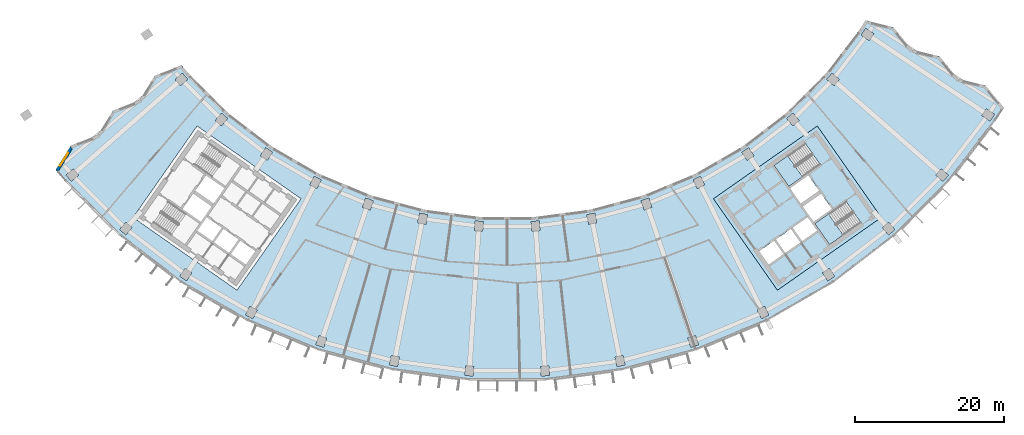
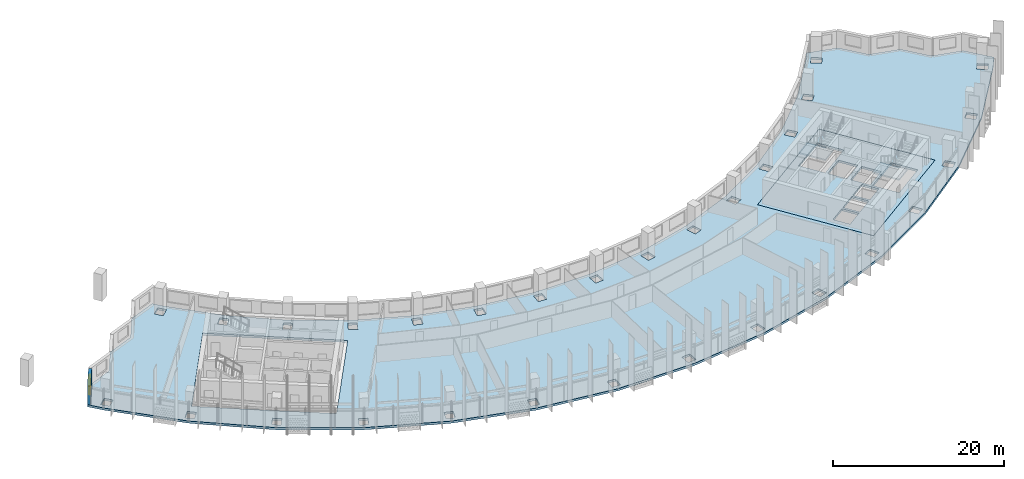
# One storey, part 2 of 26: 4 slabs, 1 wall, 1 window, 1 opening, 2 elements without a shape of their own.
"""IFC4 building model written with IfcOpenShell, lengths in metres."""

from ifc_helpers import new_model, si_unit, direction, frame, frame_2d, origin, place, context, subcontext, project, spatial, polyline, rectangle, outline, extrude, material, layer, layer_set, type_object, element, fill, aggregate, save


model = new_model("IFC4")

# Units and contexts
model_context = context("Model", 3, precision=1e-05, world=origin(), true_north=direction((0.0, 1.0)))
body_context = subcontext(model_context, "Body", "Model", "MODEL_VIEW")
ifc_project = project(units=[si_unit("LENGTHUNIT", "METRE"), si_unit("AREAUNIT", "SQUARE_METRE"), si_unit("VOLUMEUNIT", "CUBIC_METRE"), si_unit("PLANEANGLEUNIT", "RADIAN"), si_unit("MASSUNIT", "GRAM", prefix="KILO")], contexts=[model_context])

# Site, building, storey
site_placement = place(None, origin())
site = spatial("IfcSite", under=ifc_project, at=site_placement, CompositionType="ELEMENT")
building_placement = place(site_placement, origin())
building = spatial("IfcBuilding", under=site, at=building_placement, Name="Qamariyya Broadcast Tower", CompositionType="ELEMENT")
storey_placement = place(building_placement, frame((0.0, 0.0, 156.89990234375)))
storey = spatial("IfcBuildingStorey", under=building, at=storey_placement, Name="L36", CompositionType="ELEMENT", Elevation=156.89990234375)

# Slabs
ifc_material_1 = material(Name="Concrete C40/50", Category="concrete")
ifc_layer_1 = layer(ifc_material_1, 0.300048828125)
ifc_layer_set_1 = layer_set([ifc_layer_1], Name="Core floor slab 300 mm Concrete C40/50")
slab_type_1 = type_object("IfcSlabType", Name="Core floor slab 300 mm Concrete C40/50", PredefinedType="FLOOR", material=ifc_layer_set_1)
slab_1_placement = place(storey_placement, frame((0.0, 0.0, -0.2998046875)))
element("IfcSlab", 1, at=slab_1_placement, inside=storey, type_object=slab_type_1, Name="k-E-L36-slab", PredefinedType="FLOOR", context=body_context, shape_type="SweptSolid", body=[
    extrude(outline(polyline([(36.32373046875, -66.734375), (50.286376953125, -56.95751953125), (41.6826171875, -44.67041015625), (27.719970703125, -54.447021484375), (36.32373046875, -66.734375)]), holes=[polyline([(33.87353515625, -61.49169921875), (35.88037109375, -60.08642578125), (37.142333984375, -61.888427734375), (35.13525390625, -63.293701171875), (33.87353515625, -61.49169921875)]), polyline([(36.126220703125, -59.914306640625), (38.133056640625, -58.509033203125), (39.394775390625, -60.311279296875), (37.387939453125, -61.716552734375), (36.126220703125, -59.914306640625)]), polyline([(38.378662109375, -58.3369140625), (40.3857421875, -56.931640625), (41.6474609375, -58.73388671875), (39.640625, -60.13916015625), (38.378662109375, -58.3369140625)]), polyline([(39.742431640625, -55.489990234375), (42.199951171875, -53.769287109375), (43.6337890625, -55.817138671875), (41.17626953125, -57.537841796875), (39.742431640625, -55.489990234375)]), polyline([(39.45556640625, -55.080322265625), (41.9130859375, -53.359619140625), (40.47900390625, -51.311767578125), (38.021728515625, -53.032470703125), (39.45556640625, -55.080322265625)]), polyline([(40.082275390625, -47.01171875), (35.870849609375, -49.960693359375), (37.849609375, -52.78662109375), (42.06103515625, -49.837890625), (40.082275390625, -47.01171875)]), polyline([(45.559814453125, -54.834716796875), (41.348388671875, -57.783447265625), (43.3271484375, -60.609619140625), (47.538818359375, -57.66064453125), (45.559814453125, -54.834716796875)])]), origin(), (0.0, 0.0, 1.0), 0.2998046875),
])
ifc_layer_2 = layer(ifc_material_1, 0.300048828125)
ifc_layer_set_2 = layer_set([ifc_layer_2], Name="Post-tensioned floor slab 300 C40/50")
slab_type_2 = type_object("IfcSlabType", Name="Post-tensioned floor slab 300 C40/50", PredefinedType="FLOOR", material=ifc_layer_set_2)
slab_2_placement = place(storey_placement, frame((0.0, 0.0, -0.2998046875)))
element("IfcSlab", 2, at=slab_2_placement, inside=storey, type_object=slab_type_2, Name="Floor slab S4 L36", PredefinedType="FLOOR", context=body_context, shape_type="SweptSolid", body=[
    extrude(outline(polyline([(-58.640380859375, -47.290771484375), (-60.69677734375, -50.565673828125), (-59.395263671875, -52.08837890625), (-52.08837890625, -59.395263671875), (-43.89013671875, -65.68603515625), (-34.94091796875, -70.85302734375), (-25.393798828125, -74.807373046875), (-15.412109375, -77.48193359375), (-5.166748046875, -78.830810546875), (5.166748046875, -78.830810546875), (15.412109375, -77.48193359375), (25.393798828125, -74.807373046875), (34.94091796875, -70.85302734375), (43.89013671875, -65.68603515625), (52.08837890625, -59.395263671875), (59.395263671875, -52.08837890625), (65.68603515625, -43.89013671875), (66.77783203125, -42.210693359375), (64.3115234375, -39.23193359375), (60.578857421875, -38.292236328125), (58.11181640625, -35.313232421875), (54.380126953125, -34.3740234375), (51.911865234375, -31.394287109375), (48.181396484375, -30.455810546875), (47.393798828125, -31.66748046875), (42.85498046875, -37.582763671875), (37.582763671875, -42.85498046875), (31.66748046875, -47.393798828125), (25.21044921875, -51.121826171875), (18.322021484375, -53.97509765625), (11.1201171875, -55.90478515625), (3.72802734375, -56.8779296875), (-3.72802734375, -56.8779296875), (-11.1201171875, -55.90478515625), (-18.322021484375, -53.97509765625), (-25.21044921875, -51.121826171875), (-31.66748046875, -47.393798828125), (-37.582763671875, -42.85498046875), (-42.85498046875, -37.582763671875), (-43.7939453125, -36.484130859375), (-47.3701171875, -37.901611328125), (-49.42822265625, -41.177978515625), (-53.00537109375, -42.59619140625), (-55.0625, -45.871826171875), (-58.640380859375, -47.290771484375)]), holes=[polyline([(-5.676513671875, -78.1962890625), (-5.59130859375, -76.89892578125), (-4.49365234375, -76.970947265625), (-4.578857421875, -78.26806640625), (-5.676513671875, -78.1962890625)]), polyline([(-15.83447265625, -76.786376953125), (-15.580810546875, -75.51123046875), (-14.501953125, -75.725830078125), (-14.755615234375, -77.0009765625), (-15.83447265625, -76.786376953125)]), polyline([(-25.7216796875, -74.0625), (-25.3037109375, -72.83154296875), (-24.26220703125, -73.18505859375), (-24.679931640625, -74.416015625), (-25.7216796875, -74.0625)]), polyline([(-35.168701171875, -70.071533203125), (-34.59375, -68.905517578125), (-33.607177734375, -69.39208984375), (-34.18212890625, -70.55810546875), (-35.168701171875, -70.071533203125)]), polyline([(-44.013916015625, -64.881591796875), (-43.291748046875, -63.80078125), (-42.377197265625, -64.411865234375), (-43.099365234375, -65.49267578125), (-44.013916015625, -64.881591796875)]), polyline([(-52.106201171875, -58.58154296875), (-51.2490234375, -57.604248046875), (-50.422119140625, -58.32958984375), (-51.279296875, -59.306884765625), (-52.106201171875, -58.58154296875)]), polyline([(-4.401123046875, -58.738037109375), (-4.316162109375, -57.440673828125), (-3.218505859375, -57.5126953125), (-3.303466796875, -58.809814453125), (-4.401123046875, -58.738037109375)]), polyline([(-12.0302734375, -57.660888671875), (-11.776611328125, -56.385986328125), (-10.69775390625, -56.6005859375), (-10.951416015625, -57.87548828125), (-12.0302734375, -57.660888671875)]), polyline([(-50.286376953125, -56.95751953125), (-41.6826171875, -44.67041015625), (-27.719970703125, -54.447021484375), (-36.32373046875, -66.734375), (-50.286376953125, -56.95751953125)]), polyline([(-19.45361328125, -55.597412109375), (-19.03564453125, -54.366455078125), (-17.994140625, -54.719970703125), (-18.411865234375, -55.950927734375), (-19.45361328125, -55.597412109375)]), polyline([(-26.544189453125, -52.58251953125), (-25.968994140625, -51.41650390625), (-24.982666015625, -51.903076171875), (-25.5576171875, -53.069091796875), (-26.544189453125, -52.58251953125)]), polyline([(-59.306884765625, -51.279296875), (-58.32958984375, -50.422119140625), (-57.604248046875, -51.2490234375), (-58.58154296875, -52.106201171875), (-59.306884765625, -51.279296875)]), polyline([(-33.180419921875, -48.66796875), (-32.458251953125, -47.587158203125), (-31.54345703125, -48.1982421875), (-32.265869140625, -49.279052734375), (-33.180419921875, -48.66796875)]), polyline([(-39.2490234375, -43.920654296875), (-38.391845703125, -42.943359375), (-37.564697265625, -43.668701171875), (-38.421875, -44.64599609375), (-39.2490234375, -43.920654296875)]), polyline([(-43.668701171875, -37.564697265625), (-42.943359375, -38.391845703125), (-43.920654296875, -39.2490234375), (-44.64599609375, -38.421875), (-43.668701171875, -37.564697265625)]), polyline([(4.578857421875, -78.26806640625), (4.49365234375, -76.970947265625), (5.59130859375, -76.89892578125), (5.676513671875, -78.1962890625), (4.578857421875, -78.26806640625)]), polyline([(14.755615234375, -77.0009765625), (14.501953125, -75.725830078125), (15.580810546875, -75.51123046875), (15.83447265625, -76.786376953125), (14.755615234375, -77.0009765625)]), polyline([(24.679931640625, -74.416015625), (24.26220703125, -73.18505859375), (25.3037109375, -72.83154296875), (25.7216796875, -74.0625), (24.679931640625, -74.416015625)]), polyline([(34.18212890625, -70.55810546875), (33.607177734375, -69.39208984375), (34.59375, -68.905517578125), (35.168701171875, -70.071533203125), (34.18212890625, -70.55810546875)]), polyline([(43.099365234375, -65.49267578125), (42.377197265625, -64.411865234375), (43.291748046875, -63.80078125), (44.013916015625, -64.881591796875), (43.099365234375, -65.49267578125)]), polyline([(51.279296875, -59.306884765625), (50.422119140625, -58.32958984375), (51.2490234375, -57.604248046875), (52.106201171875, -58.58154296875), (51.279296875, -59.306884765625)]), polyline([(3.303466796875, -58.809814453125), (3.218505859375, -57.5126953125), (4.316162109375, -57.440673828125), (4.401123046875, -58.738037109375), (3.303466796875, -58.809814453125)]), polyline([(10.951416015625, -57.87548828125), (10.69775390625, -56.6005859375), (11.776611328125, -56.385986328125), (12.0302734375, -57.660888671875), (10.951416015625, -57.87548828125)]), polyline([(36.32373046875, -66.734375), (27.719970703125, -54.447021484375), (41.6826171875, -44.67041015625), (50.286376953125, -56.95751953125), (36.32373046875, -66.734375)]), polyline([(18.411865234375, -55.950927734375), (17.994140625, -54.719970703125), (19.03564453125, -54.366455078125), (19.45361328125, -55.597412109375), (18.411865234375, -55.950927734375)]), polyline([(25.5576171875, -53.069091796875), (24.982666015625, -51.903076171875), (25.968994140625, -51.41650390625), (26.544189453125, -52.58251953125), (25.5576171875, -53.069091796875)]), polyline([(58.58154296875, -52.106201171875), (57.604248046875, -51.2490234375), (58.32958984375, -50.422119140625), (59.306884765625, -51.279296875), (58.58154296875, -52.106201171875)]), polyline([(32.265869140625, -49.279052734375), (31.54345703125, -48.1982421875), (32.458251953125, -47.587158203125), (33.180419921875, -48.66796875), (32.265869140625, -49.279052734375)]), polyline([(38.421875, -44.64599609375), (37.564697265625, -43.668701171875), (38.391845703125, -42.943359375), (39.2490234375, -43.920654296875), (38.421875, -44.64599609375)]), polyline([(64.881591796875, -44.013916015625), (63.80078125, -43.291748046875), (64.411865234375, -42.377197265625), (65.49267578125, -43.099365234375), (64.881591796875, -44.013916015625)]), polyline([(42.943359375, -38.391845703125), (43.668701171875, -37.564697265625), (44.64599609375, -38.421875), (43.920654296875, -39.2490234375), (42.943359375, -38.391845703125)]), polyline([(47.587158203125, -32.458251953125), (48.1982421875, -31.54345703125), (49.279052734375, -32.265869140625), (48.66796875, -33.180419921875), (47.587158203125, -32.458251953125)])]), origin(), (0.0, 0.0, 1.0), 0.2998046875),
])

# Stair, slab
ifc_material_2 = material(Name="Concrete C50/60", Category="concrete")
stair_type = type_object("IfcStairType", Name="Exit stair 22 risers of 173 mm", PredefinedType="HALF_TURN_STAIR", material=ifc_material_2)
stair_1_placement = place(storey_placement, origin())
stair_1 = element("IfcStair", 3, at=stair_1_placement, inside=storey, type_object=stair_type, Name="L36 Stair E2", PredefinedType="HALF_TURN_STAIR")
ifc_layer_3 = layer(ifc_material_2, 0.199951171875)
ifc_layer_set_3 = layer_set([ifc_layer_3], Name="Stair landing")
slab_type_3 = type_object("IfcSlabType", Name="Stair landing", PredefinedType="LANDING", material=ifc_layer_set_3)
slab_3_placement = place(storey_placement, frame((0.0, 0.0, 1.7001953125)))
slab_3 = element("IfcSlab", 4, at=slab_3_placement, type_object=slab_type_3, Name="ST-E2 landing 1", PredefinedType="LANDING", context=body_context, shape_type="SweptSolid", body=[
    extrude(outline(polyline([(37.71337890625, -48.67041015625), (35.870849609375, -49.960693359375), (37.849609375, -52.78662109375), (39.692138671875, -51.49658203125), (37.71337890625, -48.67041015625)])), origin(), (0.0, 0.0, 1.0), 0.199951171875),
])
aggregate(stair_1, [slab_3])

stair_2_placement = place(storey_placement, origin())
stair_2 = element("IfcStair", 5, at=stair_2_placement, inside=storey, type_object=stair_type, Name="L36 Stair E1", PredefinedType="HALF_TURN_STAIR")
slab_4_placement = place(storey_placement, frame((0.0, 0.0, 1.7001953125)))
slab_4 = element("IfcSlab", 6, at=slab_4_placement, type_object=slab_type_3, Name="ST-E1 landing 1", PredefinedType="LANDING", context=body_context, shape_type="SweptSolid", body=[
    extrude(outline(polyline([(43.19091796875, -56.493408203125), (41.348388671875, -57.783447265625), (43.3271484375, -60.609619140625), (45.169677734375, -59.319580078125), (43.19091796875, -56.493408203125)])), origin(), (0.0, 0.0, 1.0), 0.199951171875),
])
aggregate(stair_2, [slab_4])

# Wall, opening, window
ifc_material_3 = material(Name="Terracotta", Category="masonry")
ifc_layer_4 = layer(ifc_material_3, 0.39990234375)
ifc_layer_set_4 = layer_set([ifc_layer_4], Name="Terracotta clad wall 400")
wall_type = type_object("IfcWallType", Name="Terracotta clad wall 400", PredefinedType="SOLIDWALL", material=ifc_layer_set_4)
wall_placement = place(storey_placement, frame((-58.6201171875, -47.63427734375, 0.0), z_axis=(0.0, 0.0, 1.0), x_axis=(-0.531765862051, -0.846891414502, 0.0)))
wall = element("IfcWall", 7, at=wall_placement, inside=storey, type_object=wall_type, Name="e-wl-L36-capW5", PredefinedType="SOLIDWALL", context=body_context, shape_type="SweptSolid", body=[
    extrude(rectangle(XDim=3.587158203125, YDim=0.39990234375, at=frame_2d((1.79345703125, 0.0))), origin(), (0.0, 0.0, 1.0), 2.7001953125),
])
opening_placement = place(wall_placement, frame((0.79345703125, 0.0, 0.89990234375)))
opening = element("IfcOpeningElement", 8, at=opening_placement, cuts=wall, Name="Opening W4", PredefinedType="OPENING", context=body_context, shape_type="SweptSolid", body=[
    extrude(rectangle(XDim=2.0, YDim=1.5, at=frame_2d((1.0, 0.75))), frame((0.0, 0.2099609375, 0.0), z_axis=(0.0, -1.0, 0.0), x_axis=(1.0, 0.0, 0.0)), (0.0, 0.0, 1.0), 0.419921875),
])
ifc_material_4 = material(Name="Clear low-e double glazed unit in aluminium frame", Category="aluminium")
window_type = type_object("IfcWindowType", Name="Horn bay window 2000 x 1500", PartitioningType="SINGLE_PANEL", PredefinedType="WINDOW", material=ifc_material_4)
window_placement = place(opening_placement, origin())
window = element("IfcWindow", 9, at=window_placement, inside=storey, type_object=window_type, Name="e-w-L36-capW5", OverallHeight=1.5, OverallWidth=2.0, PartitioningType="SINGLE_PANEL", PredefinedType="WINDOW", context=body_context, shape_type="SweptSolid", body=[
    extrude(rectangle(XDim=2.0, YDim=1.5, at=frame_2d((1.0, 0.75))), frame((0.0, 0.030029296875, 0.0), z_axis=(0.0, -1.0, 0.0), x_axis=(1.0, 0.0, 0.0)), (0.0, 0.0, 1.0), 0.06005859375),
])
fill(opening, window)

save(model, "model.ifc")
